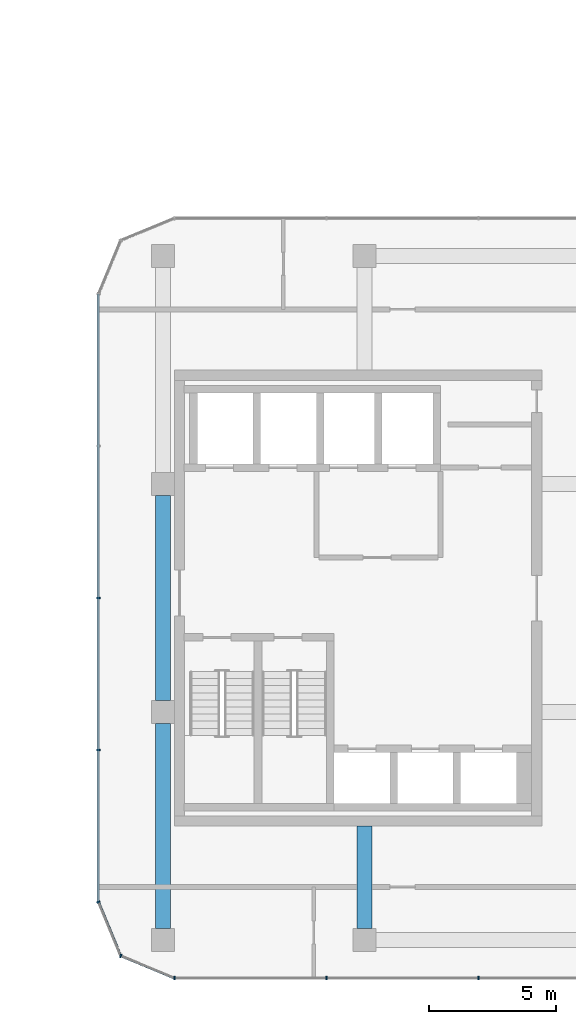
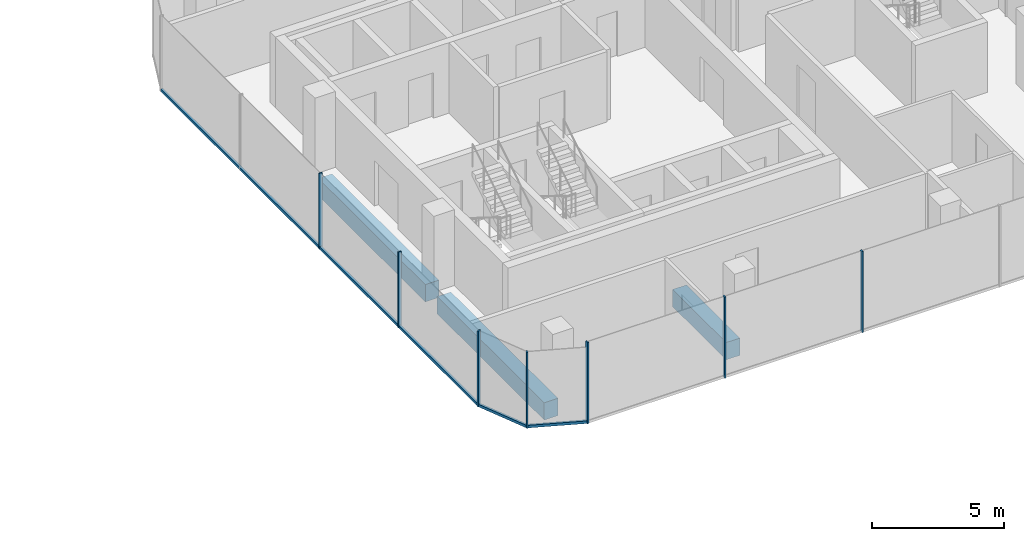
# One storey, part 7 of 22: 10 members, 3 beams, 4 elements without a shape of their own.
"""IFC4 building model written with IfcOpenShell, lengths in metres."""

from ifc_helpers import new_model, si_unit, direction, frame, origin, origin_2d, place, context, subcontext, project, spatial, rectangle, extrude, material, layer, layer_set, material_profile, profile_set, type_object, element, aggregate, save


model = new_model("IFC4")

# Units and contexts
model_context = context("Model", 3, precision=1e-05, world=origin(), true_north=direction((0.0, 1.0)))
body_context = subcontext(model_context, "Body", "Model", "MODEL_VIEW")
ifc_project = project(units=[si_unit("LENGTHUNIT", "METRE"), si_unit("AREAUNIT", "SQUARE_METRE"), si_unit("VOLUMEUNIT", "CUBIC_METRE"), si_unit("PLANEANGLEUNIT", "RADIAN"), si_unit("MASSUNIT", "GRAM", prefix="KILO")], contexts=[model_context])

# Site, building, storey
site_placement = place(None, origin())
site = spatial("IfcSite", under=ifc_project, at=site_placement, CompositionType="ELEMENT")
building_placement = place(site_placement, origin())
building = spatial("IfcBuilding", under=site, at=building_placement, Name="Plateau Cross Towers", CompositionType="ELEMENT")
storey_placement = place(building_placement, frame((0.0, 0.0, 113.300048828125)))
storey = spatial("IfcBuildingStorey", under=building, at=storey_placement, Name="L29", CompositionType="ELEMENT", Elevation=113.300048828125)

# Beam
ifc_material_1 = material(Name="Concrete C60/75", Category="concrete")
ifc_material_profile_1 = material_profile(ifc_material_1, rectangle(XDim=0.60009765625, YDim=0.800048828125, at=origin_2d()), Name="RC 600x800")
ifc_profile_set_1 = profile_set([ifc_material_profile_1], Name="Concrete C60/75")
beam_type_1 = type_object("IfcBeamType", Name="Core beam RC 600x800", PredefinedType="BEAM", material=ifc_profile_set_1)
beam_placement = place(storey_placement, frame((82.5, 0.0, -0.650146484375), z_axis=(0.0, -1.0, 0.0), x_axis=(1.0, 0.0, 0.0)))
element("IfcBeam", 1, at=beam_placement, inside=storey, type_object=beam_type_1, Name="B-CB01@L29", PredefinedType="BEAM", context=body_context, shape_type="SweptSolid", body=[
    extrude(rectangle(XDim=0.60009765625, YDim=0.800048828125, at=origin_2d()), origin(), (0.0, 0.0, 1.0), 4.050048828125),
])

# Curtain wall, members
ifc_material_2 = material(Name="Dark low-iron glass", Category="glass")
ifc_layer = layer(ifc_material_2, 0.239990234375)
ifc_layer_set = layer_set([ifc_layer], Name="Dark low-iron glass")
curtain_wall_type = type_object("IfcCurtainWallType", Name="Curtain wall office unitised CW-F", PredefinedType="NOTDEFINED", material=ifc_layer_set)
curtain_wall_1_placement = place(storey_placement, origin())
curtain_wall_1 = element("IfcCurtainWall", 2, at=curtain_wall_1_placement, inside=storey, type_object=curtain_wall_type, Name="ENV/B/L29/B750_-60", PredefinedType="NOTDEFINED")
ifc_material_3 = material(Name="Black anodised aluminium", Category="aluminium")
ifc_material_profile_2 = material_profile(ifc_material_3, rectangle(XDim=0.06005859375, YDim=0.139892578125, at=origin_2d()), Name="MULLION 60x140")
ifc_profile_set_2 = profile_set([ifc_material_profile_2], Name="Black anodised aluminium")
member_type_1 = type_object("IfcMemberType", Name="Mullion 60x140 office unitised", PredefinedType="MULLION", material=ifc_profile_set_2)
member_1_placement = place(storey_placement, frame((75.0, -6.0, -0.25), z_axis=(0.0, 0.0, 1.0), x_axis=(1.0, 0.0, 0.0)))
member_1 = element("IfcMember", 3, at=member_1_placement, type_object=member_type_1, Name="CW-F mullion 1", PredefinedType="MULLION", context=body_context, shape_type="SweptSolid", body=[
    extrude(rectangle(XDim=0.06005859375, YDim=0.139892578125, at=origin_2d()), origin(), (0.0, 0.0, 1.0), 3.75),
])
member_2_placement = place(storey_placement, frame((81.0, -6.0, -0.25), z_axis=(0.0, 0.0, 1.0), x_axis=(1.0, 0.0, 0.0)))
member_2 = element("IfcMember", 4, at=member_2_placement, type_object=member_type_1, Name="CW-F mullion 2", PredefinedType="MULLION", context=body_context, shape_type="SweptSolid", body=[
    extrude(rectangle(XDim=0.06005859375, YDim=0.139892578125, at=origin_2d()), origin(), (0.0, 0.0, 1.0), 3.75),
])
member_3_placement = place(storey_placement, frame((87.0, -6.0, -0.25), z_axis=(0.0, 0.0, 1.0), x_axis=(1.0, 0.0, 0.0)))
member_3 = element("IfcMember", 5, at=member_3_placement, type_object=member_type_1, Name="CW-F mullion 3", PredefinedType="MULLION", context=body_context, shape_type="SweptSolid", body=[
    extrude(rectangle(XDim=0.06005859375, YDim=0.139892578125, at=origin_2d()), origin(), (0.0, 0.0, 1.0), 3.75),
])
aggregate(curtain_wall_1, [member_1, member_2, member_3])

curtain_wall_2_placement = place(storey_placement, origin())
curtain_wall_2 = element("IfcCurtainWall", 6, at=curtain_wall_2_placement, inside=storey, type_object=curtain_wall_type, Name="ENV/B/L29/B720_210", PredefinedType="NOTDEFINED")
member_4_placement = place(storey_placement, frame((72.0, 9.0, -0.25), z_axis=(0.0, 0.0, 1.0), x_axis=(0.0, -1.0, 0.0)))
member_4 = element("IfcMember", 7, at=member_4_placement, type_object=member_type_1, Name="CW-F mullion 3", PredefinedType="MULLION", context=body_context, shape_type="SweptSolid", body=[
    extrude(rectangle(XDim=0.06005859375, YDim=0.139892578125, at=origin_2d()), origin(), (0.0, 0.0, 1.0), 3.5),
])
member_5_placement = place(storey_placement, frame((72.0, 3.0, -0.25), z_axis=(0.0, 0.0, 1.0), x_axis=(0.0, -1.0, 0.0)))
member_5 = element("IfcMember", 8, at=member_5_placement, type_object=member_type_1, Name="CW-F mullion 4", PredefinedType="MULLION", context=body_context, shape_type="SweptSolid", body=[
    extrude(rectangle(XDim=0.06005859375, YDim=0.139892578125, at=origin_2d()), origin(), (0.0, 0.0, 1.0), 3.5),
])

# Curtain wall, member
curtain_wall_3_placement = place(storey_placement, origin())
curtain_wall_3 = element("IfcCurtainWall", 9, at=curtain_wall_3_placement, inside=storey, type_object=curtain_wall_type, Name="ENV/B/L29/B720_-30", PredefinedType="NOTDEFINED")
member_6_placement = place(storey_placement, frame((72.0, -3.0, -0.25), z_axis=(0.0, 0.0, 1.0), x_axis=(0.382683612978, -0.923879457699, 0.0)))
member_6 = element("IfcMember", 10, at=member_6_placement, type_object=member_type_1, Name="CW-F mullion 1", PredefinedType="MULLION", context=body_context, shape_type="SweptSolid", body=[
    extrude(rectangle(XDim=0.06005859375, YDim=0.139892578125, at=origin_2d()), origin(), (0.0, 0.0, 1.0), 3.5),
])

curtain_wall_4_placement = place(storey_placement, origin())
curtain_wall_4 = element("IfcCurtainWall", 11, at=curtain_wall_4_placement, inside=storey, type_object=curtain_wall_type, Name="ENV/B/L29/B729_-51", PredefinedType="NOTDEFINED")
member_7_placement = place(storey_placement, frame((72.878662109375, -5.121337890625, -0.25), z_axis=(0.0, 0.0, 1.0), x_axis=(0.923879457699, -0.382683612978, 0.0)))
member_7 = element("IfcMember", 12, at=member_7_placement, type_object=member_type_1, Name="CW-F mullion 1", PredefinedType="MULLION", context=body_context, shape_type="SweptSolid", body=[
    extrude(rectangle(XDim=0.06005859375, YDim=0.139892578125, at=origin_2d()), origin(), (0.0, 0.0, 1.0), 3.5),
])

# Beams
ifc_material_profile_3 = material_profile(ifc_material_1, rectangle(XDim=0.60009765625, YDim=0.800048828125, at=origin_2d()), Name="RC 600x800")
ifc_profile_set_3 = profile_set([ifc_material_profile_3], Name="Concrete C60/75")
beam_type_2 = type_object("IfcBeamType", Name="Ring beam RC 600x800", PredefinedType="BEAM", material=ifc_profile_set_3)
for number, where, z_axis, x_axis, name in (
    (13, (74.550048828125, 13.050048828125, -0.650146484375), (0.0, -1.0, 0.0), (1.0, 0.0, 0.0), "B-RB09@L29"),
    (14, (74.550048828125, 4.050048828125, -0.650146484375), (0.0, -1.0, 0.0), (1.0, 0.0, 0.0), "B-RB10@L29"),
):
    element("IfcBeam", number, at=place(storey_placement, frame(where, z_axis=z_axis, x_axis=x_axis)), inside=storey, type_object=beam_type_2, Name=name, PredefinedType="BEAM", context=body_context, shape_type="SweptSolid", body=[
        extrude(rectangle(XDim=0.60009765625, YDim=0.800048828125, at=origin_2d()), origin(), (0.0, 0.0, 1.0), 8.10009765625),
    ])

# Member
ifc_material_profile_4 = material_profile(ifc_material_3, rectangle(XDim=0.10009765625, YDim=0.1201171875, at=origin_2d()), Name="TRANSOM 100x120")
ifc_profile_set_4 = profile_set([ifc_material_profile_4], Name="Black anodised aluminium")
member_type_2 = type_object("IfcMemberType", Name="Transom 100x120 office unitised", PredefinedType="USERDEFINED", material=ifc_profile_set_4)
member_8_placement = place(storey_placement, frame((72.0, 21.0, -0.18994140625), z_axis=(0.0, -1.0, 0.0), x_axis=(1.0, 0.0, 0.0)))
member_8 = element("IfcMember", 15, at=member_8_placement, type_object=member_type_2, Name="CW-F transom", ObjectType="TRANSOM", PredefinedType="USERDEFINED", context=body_context, shape_type="SweptSolid", body=[
    extrude(rectangle(XDim=0.10009765625, YDim=0.1201171875, at=origin_2d()), origin(), (0.0, 0.0, 1.0), 24.0),
])

aggregate(curtain_wall_2, [member_4, member_5, member_8])

member_9_placement = place(storey_placement, frame((72.0, -3.0, -0.18994140625), z_axis=(0.382674207535, -0.923883353507, 0.0), x_axis=(0.923883353507, 0.382674207535, 0.0)))
member_9 = element("IfcMember", 16, at=member_9_placement, type_object=member_type_2, Name="CW-F transom", ObjectType="TRANSOM", PredefinedType="USERDEFINED", context=body_context, shape_type="SweptSolid", body=[
    extrude(rectangle(XDim=0.10009765625, YDim=0.1201171875, at=origin_2d()), origin(), (0.0, 0.0, 1.0), 2.296142578125),
])

aggregate(curtain_wall_3, [member_6, member_9])

member_10_placement = place(storey_placement, frame((72.878662109375, -5.121337890625, -0.18994140625), z_axis=(0.923883353507, -0.382674207535, 0.0), x_axis=(0.382674207535, 0.923883353507, 0.0)))
member_10 = element("IfcMember", 17, at=member_10_placement, type_object=member_type_2, Name="CW-F transom", ObjectType="TRANSOM", PredefinedType="USERDEFINED", context=body_context, shape_type="SweptSolid", body=[
    extrude(rectangle(XDim=0.10009765625, YDim=0.1201171875, at=origin_2d()), origin(), (0.0, 0.0, 1.0), 2.296142578125),
])

aggregate(curtain_wall_4, [member_7, member_10])

save(model, "model.ifc")
